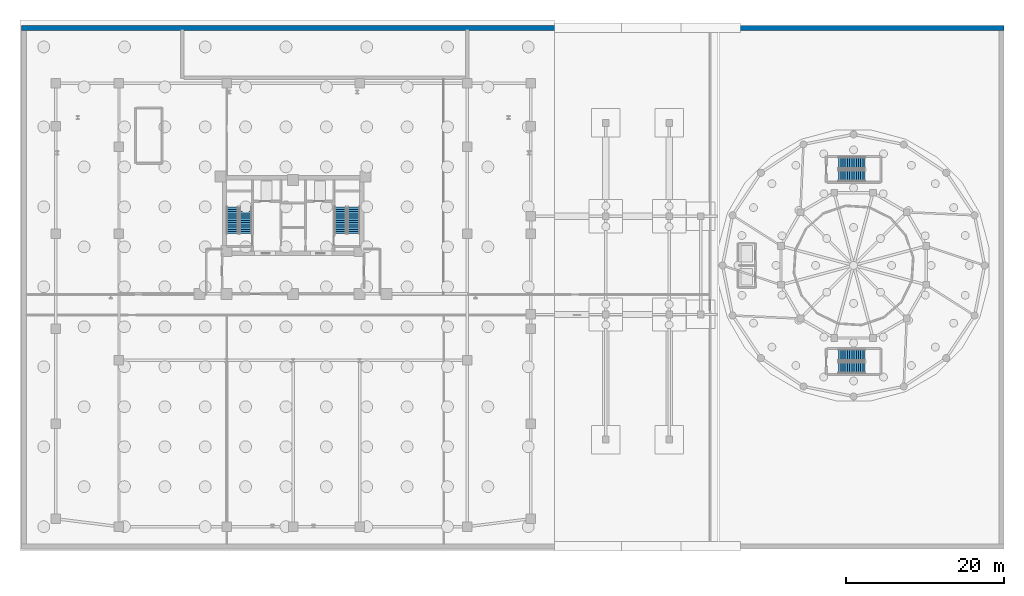
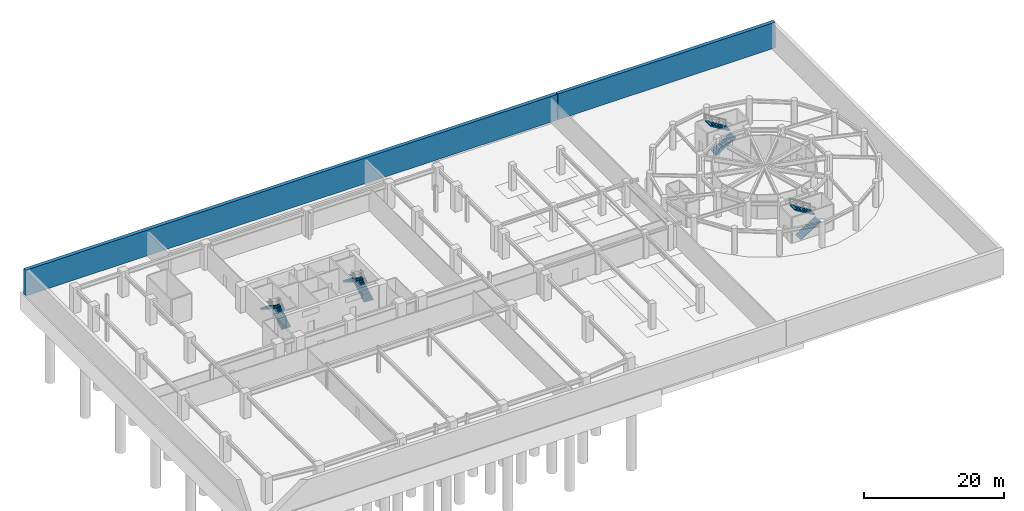
# One storey, part 12 of 15: 8 stair flights, 2 walls, 4 elements without a shape of their own.
"""IFC4 building model written with IfcOpenShell, lengths in metres."""

from ifc_helpers import new_model, si_unit, derived_unit, direction, frame, frame_2d, origin, place, context, subcontext, project, spatial, polyline, rectangle, outline, extrude, material, layer, layer_set, type_object, element, aggregate, save


model = new_model("IFC4")

# Units and contexts
model_context = context("Model", 3, precision=1e-05, world=origin(), true_north=direction((0.0, 1.0)))
body_context = subcontext(model_context, "Body", "Model", "MODEL_VIEW")
ifc_project = project(units=[si_unit("LENGTHUNIT", "METRE"), si_unit("AREAUNIT", "SQUARE_METRE"), si_unit("VOLUMEUNIT", "CUBIC_METRE"), si_unit("PLANEANGLEUNIT", "RADIAN"), si_unit("MASSUNIT", "GRAM", prefix="KILO"), derived_unit("THERMALTRANSMITTANCEUNIT", [(si_unit("POWERUNIT", "WATT"), 1), (si_unit("LENGTHUNIT", "METRE"), -2), (si_unit("THERMODYNAMICTEMPERATUREUNIT", "KELVIN"), -1)])], contexts=[model_context])

# Site, building, storey
site_placement = place(None, origin())
site = spatial("IfcSite", under=ifc_project, at=site_placement, CompositionType="ELEMENT")
building_placement = place(site_placement, origin())
building = spatial("IfcBuilding", under=site, at=building_placement, Name="Korsvarv Bourse and Concert Hall", CompositionType="ELEMENT")
storey_placement = place(building_placement, frame((0.0, 0.0, -9.0)))
storey = spatial("IfcBuildingStorey", under=building, at=storey_placement, Name="B02", CompositionType="ELEMENT", Elevation=-9.0)

# Walls
ifc_material_1 = material(Name="Concrete C50/60", Category="concrete")
ifc_layer = layer(ifc_material_1, 0.60009765625)
ifc_layer_set = layer_set([ifc_layer], Name="Concrete C50/60")
wall_type = type_object("IfcWallType", Name="WL-RET-600", PredefinedType="SOLIDWALL", material=ifc_layer_set)
wall_1_placement = place(storey_placement, frame((1.699951171875, 66.0, 0.0), z_axis=(0.0, 0.0, 1.0), x_axis=(1.0, 0.0, 0.0)))
element("IfcWall", 1, at=wall_1_placement, inside=storey, type_object=wall_type, Name="B02 West-Block North Basement Retaining Wall", PredefinedType="SOLIDWALL", context=body_context, shape_type="SweptSolid", body=[
    extrude(rectangle(XDim=87.97998046875, YDim=0.60009765625, at=frame_2d((43.989990234375, 0.0))), origin(), (0.0, 0.0, 1.0), 4.5),
])
wall_2_placement = place(storey_placement, frame((89.800048828125, 66.0, 0.0), z_axis=(0.0, 0.0, 1.0), x_axis=(1.0, 0.0, 0.0)))
element("IfcWall", 2, at=wall_2_placement, inside=storey, type_object=wall_type, Name="B02 Concert-Block North Basement Retaining Wall", PredefinedType="SOLIDWALL", context=body_context, shape_type="SweptSolid", body=[
    extrude(rectangle(XDim=36.0, YDim=0.60009765625, at=frame_2d((18.0, 0.0))), origin(), (0.0, 0.0, 1.0), 4.5),
])

# Stair, stair flights
ifc_material_2 = material(Name="Precast concrete C45/55", Category="concrete")
stair_type_1 = type_object("IfcStairType", Name="STR-TYPE-01", PredefinedType="HALF_TURN_STAIR", material=ifc_material_2)
stair_1_placement = place(storey_placement, origin())
stair_1 = element("IfcStair", 3, at=stair_1_placement, inside=storey, type_object=stair_type_1, Name="B02 Tower West Exit Stair ST-T1", PredefinedType="HALF_TURN_STAIR")
stair_flight_type_1 = type_object("IfcStairFlightType", Name="FLT-TYPE-01", PredefinedType="STRAIGHT", material=ifc_material_2)
stair_flight_1_placement = place(storey_placement, frame((30.010009765625, 40.0, 0.0), z_axis=(0.0, 0.0, 1.0), x_axis=(0.0, 1.0, 0.0)))
stair_flight_1 = element("IfcStairFlight", 4, at=stair_flight_1_placement, type_object=stair_flight_type_1, Name="ST-T1 flight 1", NumberOfRisers=13, NumberOfTreads=12, PredefinedType="STRAIGHT", RiserHeight=0.173076923, TreadLength=0.28, context=body_context, shape_type="SweptSolid", body=[
    extrude(outline(polyline([(0.0, 0.0), (0.0, 0.173095703125), (0.280029296875, 0.173095703125), (0.280029296875, 0.34619140625), (0.56005859375, 0.34619140625), (0.56005859375, 0.519287109375), (0.840087890625, 0.519287109375), (0.840087890625, 0.6923828125), (1.1201171875, 0.6923828125), (1.1201171875, 0.865478515625), (1.39990234375, 0.865478515625), (1.39990234375, 1.03857421875), (1.679931640625, 1.03857421875), (1.679931640625, 1.21142578125), (1.9599609375, 1.21142578125), (1.9599609375, 1.384521484375), (2.239990234375, 1.384521484375), (2.239990234375, 1.5576171875), (2.52001953125, 1.5576171875), (2.52001953125, 1.730712890625), (2.800048828125, 1.730712890625), (2.800048828125, 1.90380859375), (3.080078125, 1.90380859375), (3.080078125, 2.076904296875), (3.360107421875, 2.076904296875), (3.360107421875, 2.25), (3.360107421875, 1.900634765625), (0.28515625, 0.0), (0.0, 0.0)])), frame((0.0, 0.75, 0.0), z_axis=(0.0, -1.0, 0.0), x_axis=(1.0, 0.0, 0.0)), (0.0, 0.0, 1.0), 1.5),
])
stair_flight_2_placement = place(storey_placement, frame((28.35009765625, 43.360107421875, 2.25), z_axis=(0.0, 0.0, 1.0), x_axis=(0.0, -1.0, 0.0)))
stair_flight_2 = element("IfcStairFlight", 5, at=stair_flight_2_placement, type_object=stair_flight_type_1, Name="ST-T1 flight 2", NumberOfRisers=13, NumberOfTreads=12, PredefinedType="STRAIGHT", RiserHeight=0.173076923, TreadLength=0.28, context=body_context, shape_type="SweptSolid", body=[
    extrude(outline(polyline([(0.0, 0.0), (0.0, 0.173095703125), (0.280029296875, 0.173095703125), (0.280029296875, 0.34619140625), (0.56005859375, 0.34619140625), (0.56005859375, 0.519287109375), (0.840087890625, 0.519287109375), (0.840087890625, 0.6923828125), (1.1201171875, 0.6923828125), (1.1201171875, 0.865478515625), (1.39990234375, 0.865478515625), (1.39990234375, 1.03857421875), (1.679931640625, 1.03857421875), (1.679931640625, 1.21142578125), (1.9599609375, 1.21142578125), (1.9599609375, 1.384521484375), (2.239990234375, 1.384521484375), (2.239990234375, 1.5576171875), (2.52001953125, 1.5576171875), (2.52001953125, 1.730712890625), (2.800048828125, 1.730712890625), (2.800048828125, 1.90380859375), (3.080078125, 1.90380859375), (3.080078125, 2.076904296875), (3.360107421875, 2.076904296875), (3.360107421875, 2.25), (3.360107421875, 1.900634765625), (0.28515625, 0.0), (0.0, 0.0)])), frame((0.0, 0.75, 0.0), z_axis=(0.0, -1.0, 0.0), x_axis=(1.0, 0.0, 0.0)), (0.0, 0.0, 1.0), 1.5),
])
aggregate(stair_1, [stair_flight_1, stair_flight_2])

stair_2_placement = place(storey_placement, origin())
stair_2 = element("IfcStair", 6, at=stair_2_placement, inside=storey, type_object=stair_type_1, Name="B02 Tower East Exit Stair ST-T2", PredefinedType="HALF_TURN_STAIR")
stair_flight_3_placement = place(storey_placement, frame((43.64990234375, 40.0, 0.0), z_axis=(0.0, 0.0, 1.0), x_axis=(0.0, 1.0, 0.0)))
stair_flight_3 = element("IfcStairFlight", 7, at=stair_flight_3_placement, type_object=stair_flight_type_1, Name="ST-T2 flight 1", NumberOfRisers=13, NumberOfTreads=12, PredefinedType="STRAIGHT", RiserHeight=0.173076923, TreadLength=0.28, context=body_context, shape_type="SweptSolid", body=[
    extrude(outline(polyline([(0.0, 0.0), (0.0, 0.173095703125), (0.280029296875, 0.173095703125), (0.280029296875, 0.34619140625), (0.56005859375, 0.34619140625), (0.56005859375, 0.519287109375), (0.840087890625, 0.519287109375), (0.840087890625, 0.6923828125), (1.1201171875, 0.6923828125), (1.1201171875, 0.865478515625), (1.39990234375, 0.865478515625), (1.39990234375, 1.03857421875), (1.679931640625, 1.03857421875), (1.679931640625, 1.21142578125), (1.9599609375, 1.21142578125), (1.9599609375, 1.384521484375), (2.239990234375, 1.384521484375), (2.239990234375, 1.5576171875), (2.52001953125, 1.5576171875), (2.52001953125, 1.730712890625), (2.800048828125, 1.730712890625), (2.800048828125, 1.90380859375), (3.080078125, 1.90380859375), (3.080078125, 2.076904296875), (3.360107421875, 2.076904296875), (3.360107421875, 2.25), (3.360107421875, 1.900634765625), (0.28515625, 0.0), (0.0, 0.0)])), frame((0.0, 0.75, 0.0), z_axis=(0.0, -1.0, 0.0), x_axis=(1.0, 0.0, 0.0)), (0.0, 0.0, 1.0), 1.5),
])
stair_flight_4_placement = place(storey_placement, frame((41.989990234375, 43.360107421875, 2.25), z_axis=(0.0, 0.0, 1.0), x_axis=(0.0, -1.0, 0.0)))
stair_flight_4 = element("IfcStairFlight", 8, at=stair_flight_4_placement, type_object=stair_flight_type_1, Name="ST-T2 flight 2", NumberOfRisers=13, NumberOfTreads=12, PredefinedType="STRAIGHT", RiserHeight=0.173076923, TreadLength=0.28, context=body_context, shape_type="SweptSolid", body=[
    extrude(outline(polyline([(0.0, 0.0), (0.0, 0.173095703125), (0.280029296875, 0.173095703125), (0.280029296875, 0.34619140625), (0.56005859375, 0.34619140625), (0.56005859375, 0.519287109375), (0.840087890625, 0.519287109375), (0.840087890625, 0.6923828125), (1.1201171875, 0.6923828125), (1.1201171875, 0.865478515625), (1.39990234375, 0.865478515625), (1.39990234375, 1.03857421875), (1.679931640625, 1.03857421875), (1.679931640625, 1.21142578125), (1.9599609375, 1.21142578125), (1.9599609375, 1.384521484375), (2.239990234375, 1.384521484375), (2.239990234375, 1.5576171875), (2.52001953125, 1.5576171875), (2.52001953125, 1.730712890625), (2.800048828125, 1.730712890625), (2.800048828125, 1.90380859375), (3.080078125, 1.90380859375), (3.080078125, 2.076904296875), (3.360107421875, 2.076904296875), (3.360107421875, 2.25), (3.360107421875, 1.900634765625), (0.28515625, 0.0), (0.0, 0.0)])), frame((0.0, 0.75, 0.0), z_axis=(0.0, -1.0, 0.0), x_axis=(1.0, 0.0, 0.0)), (0.0, 0.0, 1.0), 1.5),
])
aggregate(stair_2, [stair_flight_3, stair_flight_4])

stair_type_2 = type_object("IfcStairType", Name="STR-TYPE-06", PredefinedType="HALF_TURN_STAIR", material=ifc_material_2)
stair_3_placement = place(storey_placement, origin())
stair_3 = element("IfcStair", 9, at=stair_3_placement, inside=storey, type_object=stair_type_2, Name="B02 Concert Hall North Exit Stair ST-CH1", PredefinedType="HALF_TURN_STAIR")
stair_flight_type_2 = type_object("IfcStairFlightType", Name="FLT-TYPE-06", PredefinedType="STRAIGHT", material=ifc_material_2)
stair_flight_5_placement = place(storey_placement, frame((104.89990234375, 47.324951171875, 0.0), z_axis=(0.0, 0.0, 1.0), x_axis=(1.0, 0.0, 0.0)))
stair_flight_5 = element("IfcStairFlight", 10, at=stair_flight_5_placement, type_object=stair_flight_type_2, Name="ST-CH1 flight 1", NumberOfRisers=13, NumberOfTreads=12, PredefinedType="STRAIGHT", RiserHeight=0.173076923, TreadLength=0.28, context=body_context, shape_type="SweptSolid", body=[
    extrude(outline(polyline([(0.0, 0.0), (0.0, 0.173095703125), (0.280029296875, 0.173095703125), (0.280029296875, 0.34619140625), (0.56005859375, 0.34619140625), (0.56005859375, 0.519287109375), (0.840087890625, 0.519287109375), (0.840087890625, 0.6923828125), (1.1201171875, 0.6923828125), (1.1201171875, 0.865478515625), (1.39990234375, 0.865478515625), (1.39990234375, 1.03857421875), (1.679931640625, 1.03857421875), (1.679931640625, 1.21142578125), (1.9599609375, 1.21142578125), (1.9599609375, 1.384521484375), (2.239990234375, 1.384521484375), (2.239990234375, 1.5576171875), (2.52001953125, 1.5576171875), (2.52001953125, 1.730712890625), (2.800048828125, 1.730712890625), (2.800048828125, 1.90380859375), (3.080078125, 1.90380859375), (3.080078125, 2.076904296875), (3.360107421875, 2.076904296875), (3.360107421875, 2.25), (3.360107421875, 1.900634765625), (0.28515625, 0.0), (0.0, 0.0)])), frame((0.0, 0.72509765625, 0.0), z_axis=(0.0, -1.0, 0.0), x_axis=(1.0, 0.0, 0.0)), (0.0, 0.0, 1.0), 1.449951171875),
])
stair_flight_6_placement = place(storey_placement, frame((108.260009765625, 48.93505859375, 2.25), z_axis=(0.0, 0.0, 1.0), x_axis=(-1.0, 0.0, 0.0)))
stair_flight_6 = element("IfcStairFlight", 11, at=stair_flight_6_placement, type_object=stair_flight_type_2, Name="ST-CH1 flight 2", NumberOfRisers=13, NumberOfTreads=12, PredefinedType="STRAIGHT", RiserHeight=0.173076923, TreadLength=0.28, context=body_context, shape_type="SweptSolid", body=[
    extrude(outline(polyline([(0.0, 0.0), (0.0, 0.173095703125), (0.280029296875, 0.173095703125), (0.280029296875, 0.34619140625), (0.56005859375, 0.34619140625), (0.56005859375, 0.519287109375), (0.840087890625, 0.519287109375), (0.840087890625, 0.6923828125), (1.1201171875, 0.6923828125), (1.1201171875, 0.865478515625), (1.39990234375, 0.865478515625), (1.39990234375, 1.03857421875), (1.679931640625, 1.03857421875), (1.679931640625, 1.21142578125), (1.9599609375, 1.21142578125), (1.9599609375, 1.384521484375), (2.239990234375, 1.384521484375), (2.239990234375, 1.5576171875), (2.52001953125, 1.5576171875), (2.52001953125, 1.730712890625), (2.800048828125, 1.730712890625), (2.800048828125, 1.90380859375), (3.080078125, 1.90380859375), (3.080078125, 2.076904296875), (3.360107421875, 2.076904296875), (3.360107421875, 2.25), (3.360107421875, 1.900634765625), (0.28515625, 0.0), (0.0, 0.0)])), frame((0.0, 0.72509765625, 0.0), z_axis=(0.0, -1.0, 0.0), x_axis=(1.0, 0.0, 0.0)), (0.0, 0.0, 1.0), 1.449951171875),
])
aggregate(stair_3, [stair_flight_5, stair_flight_6])

stair_4_placement = place(storey_placement, origin())
stair_4 = element("IfcStair", 12, at=stair_4_placement, inside=storey, type_object=stair_type_2, Name="B02 Concert Hall South Exit Stair ST-CH2", PredefinedType="HALF_TURN_STAIR")
stair_flight_7_placement = place(storey_placement, frame((104.89990234375, 23.06494140625, 0.0), z_axis=(0.0, 0.0, 1.0), x_axis=(1.0, 0.0, 0.0)))
stair_flight_7 = element("IfcStairFlight", 13, at=stair_flight_7_placement, type_object=stair_flight_type_2, Name="ST-CH2 flight 1", NumberOfRisers=13, NumberOfTreads=12, PredefinedType="STRAIGHT", RiserHeight=0.173076923, TreadLength=0.28, context=body_context, shape_type="SweptSolid", body=[
    extrude(outline(polyline([(0.0, 0.0), (0.0, 0.173095703125), (0.280029296875, 0.173095703125), (0.280029296875, 0.34619140625), (0.56005859375, 0.34619140625), (0.56005859375, 0.519287109375), (0.840087890625, 0.519287109375), (0.840087890625, 0.6923828125), (1.1201171875, 0.6923828125), (1.1201171875, 0.865478515625), (1.39990234375, 0.865478515625), (1.39990234375, 1.03857421875), (1.679931640625, 1.03857421875), (1.679931640625, 1.21142578125), (1.9599609375, 1.21142578125), (1.9599609375, 1.384521484375), (2.239990234375, 1.384521484375), (2.239990234375, 1.5576171875), (2.52001953125, 1.5576171875), (2.52001953125, 1.730712890625), (2.800048828125, 1.730712890625), (2.800048828125, 1.90380859375), (3.080078125, 1.90380859375), (3.080078125, 2.076904296875), (3.360107421875, 2.076904296875), (3.360107421875, 2.25), (3.360107421875, 1.900634765625), (0.28515625, 0.0), (0.0, 0.0)])), frame((0.0, 0.72509765625, 0.0), z_axis=(0.0, -1.0, 0.0), x_axis=(1.0, 0.0, 0.0)), (0.0, 0.0, 1.0), 1.449951171875),
])
stair_flight_8_placement = place(storey_placement, frame((108.260009765625, 24.675048828125, 2.25), z_axis=(0.0, 0.0, 1.0), x_axis=(-1.0, 0.0, 0.0)))
stair_flight_8 = element("IfcStairFlight", 14, at=stair_flight_8_placement, type_object=stair_flight_type_2, Name="ST-CH2 flight 2", NumberOfRisers=13, NumberOfTreads=12, PredefinedType="STRAIGHT", RiserHeight=0.173076923, TreadLength=0.28, context=body_context, shape_type="SweptSolid", body=[
    extrude(outline(polyline([(0.0, 0.0), (0.0, 0.173095703125), (0.280029296875, 0.173095703125), (0.280029296875, 0.34619140625), (0.56005859375, 0.34619140625), (0.56005859375, 0.519287109375), (0.840087890625, 0.519287109375), (0.840087890625, 0.6923828125), (1.1201171875, 0.6923828125), (1.1201171875, 0.865478515625), (1.39990234375, 0.865478515625), (1.39990234375, 1.03857421875), (1.679931640625, 1.03857421875), (1.679931640625, 1.21142578125), (1.9599609375, 1.21142578125), (1.9599609375, 1.384521484375), (2.239990234375, 1.384521484375), (2.239990234375, 1.5576171875), (2.52001953125, 1.5576171875), (2.52001953125, 1.730712890625), (2.800048828125, 1.730712890625), (2.800048828125, 1.90380859375), (3.080078125, 1.90380859375), (3.080078125, 2.076904296875), (3.360107421875, 2.076904296875), (3.360107421875, 2.25), (3.360107421875, 1.900634765625), (0.28515625, 0.0), (0.0, 0.0)])), frame((0.0, 0.72509765625, 0.0), z_axis=(0.0, -1.0, 0.0), x_axis=(1.0, 0.0, 0.0)), (0.0, 0.0, 1.0), 1.449951171875),
])
aggregate(stair_4, [stair_flight_7, stair_flight_8])

save(model, "model.ifc")
